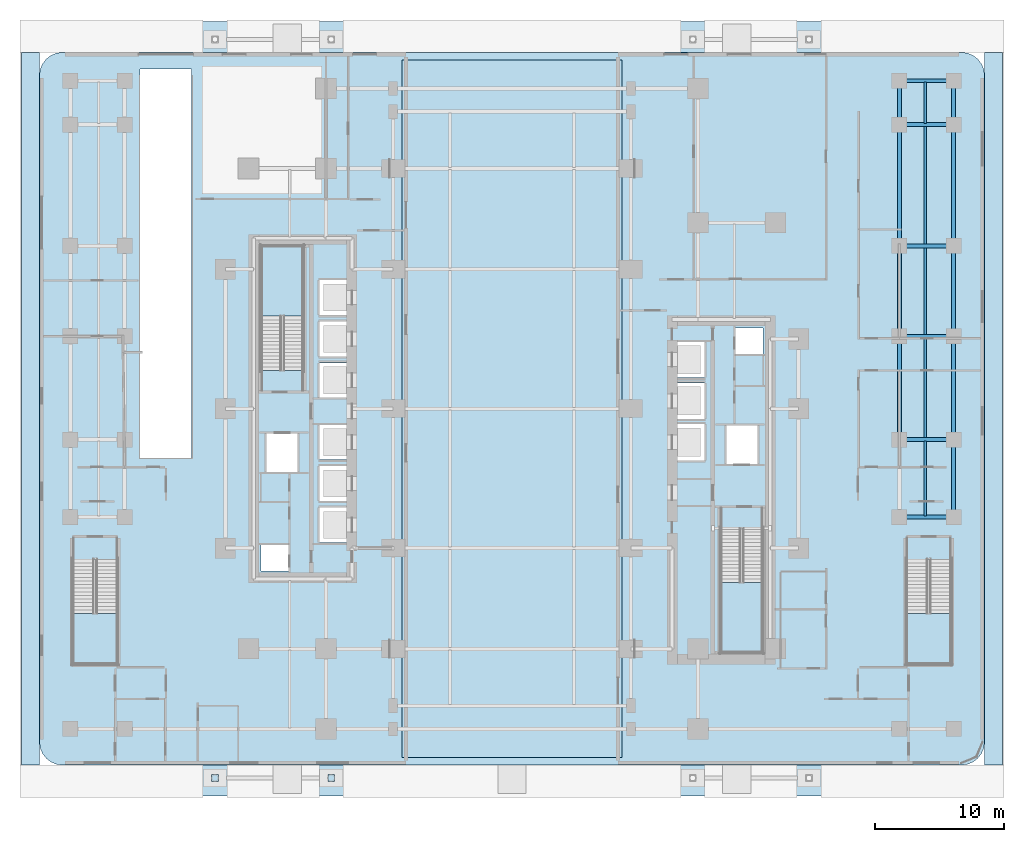
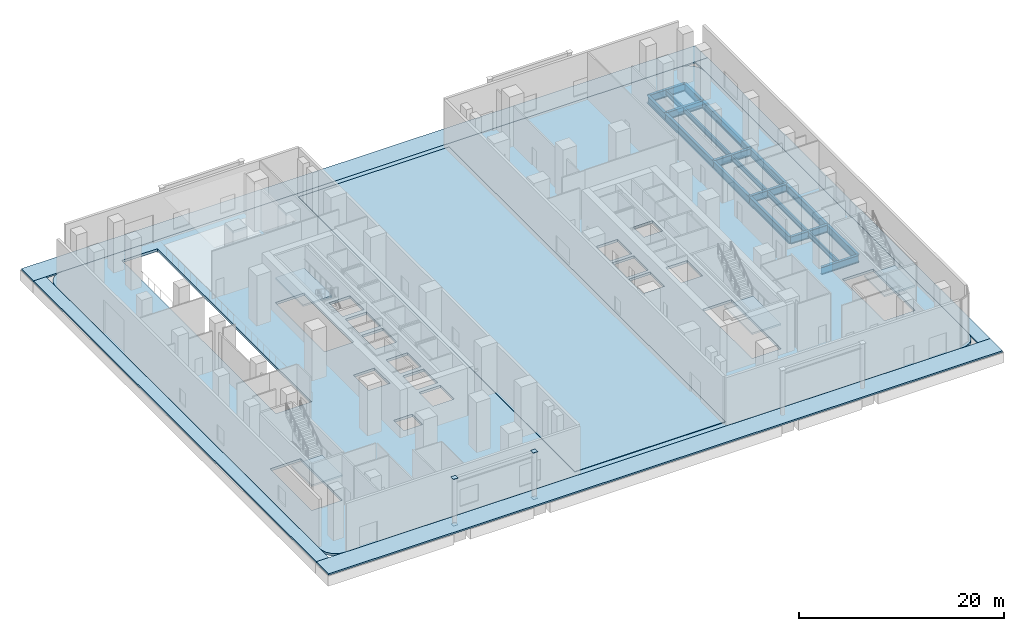
# One storey, part 6 of 22: 20 beams, 10 slabs, 4 plates, 4 elements without a shape of their own.
"""IFC4 building model written with IfcOpenShell, lengths in metres."""

from ifc_helpers import new_model, si_unit, direction, frame, origin, origin_2d, place, context, subcontext, project, spatial, polyline, rectangle, i_section, outline, extrude, material, layer, layer_set, material_profile, profile_set, type_object, element, aggregate, save


model = new_model("IFC4")

# Units and contexts
model_context = context("Model", 3, precision=1e-05, world=origin(), true_north=direction((0.0, 1.0)))
body_context = subcontext(model_context, "Body", "Model", "MODEL_VIEW")
ifc_project = project(units=[si_unit("LENGTHUNIT", "METRE"), si_unit("AREAUNIT", "SQUARE_METRE"), si_unit("VOLUMEUNIT", "CUBIC_METRE"), si_unit("PLANEANGLEUNIT", "RADIAN"), si_unit("MASSUNIT", "GRAM", prefix="KILO")], contexts=[model_context])

# Site, building, storey
site_placement = place(None, origin())
site = spatial("IfcSite", under=ifc_project, at=site_placement, CompositionType="ELEMENT")
building_placement = place(site_placement, origin())
building = spatial("IfcBuilding", under=site, at=building_placement, Name="Khairoan Windgate Tower", CompositionType="ELEMENT")
storey_placement = place(building_placement, origin())
storey = spatial("IfcBuildingStorey", under=building, at=storey_placement, Name="L01", CompositionType="ELEMENT", Elevation=0.0)

# Beams
ifc_material_1 = material(Name="Steel S355", Category="steel")
ifc_material_profile_1 = material_profile(ifc_material_1, i_section(OverallWidth=0.300048828125, OverallDepth=0.89990234375, WebThickness=0.01611328125, FlangeThickness=0.028076171875, FilletRadius=0.028076171875, at=origin_2d()))
ifc_profile_set_1 = profile_set([ifc_material_profile_1], Name="Steel S355")
beam_type_1 = type_object("IfcBeamType", Name="Beam B-G1 H900x300x16x28", PredefinedType="BEAM", material=ifc_profile_set_1)
for number, where, z_axis, x_axis, name in (
    (1, (30.0, -8.39990234375, -0.75), (1.0, 0.0, 0.0), (0.0, 1.0, 0.0), "L01 E-W Primary Girder 21"),
    (2, (30.0, -2.39990234375, -0.75), (1.0, 0.0, 0.0), (0.0, 1.0, 0.0), "L01 E-W Primary Girder 23"),
    (3, (30.0, 5.60009765625, -0.75), (1.0, 0.0, 0.0), (0.0, 1.0, 0.0), "L01 E-W Primary Girder 30"),
    (4, (30.0, 12.60009765625, -0.75), (1.0, 0.0, 0.0), (0.0, 1.0, 0.0), "L01 E-W Primary Girder 37"),
    (5, (30.0, 22.0, -0.75), (1.0, 0.0, 0.0), (0.0, 1.0, 0.0), "L01 E-W Primary Girder 45"),
    (6, (30.0, 25.39990234375, -0.75), (1.0, 0.0, 0.0), (0.0, 1.0, 0.0), "L01 E-W Primary Girder 51"),
):
    element("IfcBeam", number, at=place(storey_placement, frame(where, z_axis=z_axis, x_axis=x_axis)), inside=storey, type_object=beam_type_1, Name=name, PredefinedType="BEAM", context=body_context, shape_type="SweptSolid", body=[
        extrude(i_section(OverallWidth=0.300048828125, OverallDepth=0.89990234375, WebThickness=0.01611328125, FlangeThickness=0.028076171875, FilletRadius=0.028076171875, at=origin_2d()), origin(), (0.0, 0.0, 1.0), 4.199951171875),
    ])
beam_1_placement = place(storey_placement, frame((30.0, -2.39990234375, -0.75), z_axis=(0.0, 1.0, 0.0), x_axis=(-1.0, 0.0, 0.0)))
element("IfcBeam", 7, at=beam_1_placement, inside=storey, type_object=beam_type_1, Name="L01 N-S Primary Beam 96", PredefinedType="BEAM", context=body_context, shape_type="SweptSolid", body=[
    extrude(i_section(OverallWidth=0.300048828125, OverallDepth=0.89990234375, WebThickness=0.01611328125, FlangeThickness=0.028076171875, FilletRadius=0.028076171875, at=origin_2d()), origin(), (0.0, 0.0, 1.0), 8.0),
])
beam_2_placement = place(storey_placement, frame((30.0, 5.60009765625, -0.75), z_axis=(0.0, 1.0, 0.0), x_axis=(-1.0, 0.0, 0.0)))
element("IfcBeam", 8, at=beam_2_placement, inside=storey, type_object=beam_type_1, Name="L01 N-S Primary Beam 97", PredefinedType="BEAM", context=body_context, shape_type="SweptSolid", body=[
    extrude(i_section(OverallWidth=0.300048828125, OverallDepth=0.89990234375, WebThickness=0.01611328125, FlangeThickness=0.028076171875, FilletRadius=0.028076171875, at=origin_2d()), origin(), (0.0, 0.0, 1.0), 7.0),
])
beam_3_placement = place(storey_placement, frame((30.0, 12.60009765625, -0.75), z_axis=(0.0, 1.0, 0.0), x_axis=(-1.0, 0.0, 0.0)))
element("IfcBeam", 9, at=beam_3_placement, inside=storey, type_object=beam_type_1, Name="L01 N-S Primary Beam 98", PredefinedType="BEAM", context=body_context, shape_type="SweptSolid", body=[
    extrude(i_section(OverallWidth=0.300048828125, OverallDepth=0.89990234375, WebThickness=0.01611328125, FlangeThickness=0.028076171875, FilletRadius=0.028076171875, at=origin_2d()), origin(), (0.0, 0.0, 1.0), 9.39990234375),
])
beam_4_placement = place(storey_placement, frame((30.0, 22.0, -0.75), z_axis=(0.0, 1.0, 0.0), x_axis=(-1.0, 0.0, 0.0)))
element("IfcBeam", 10, at=beam_4_placement, inside=storey, type_object=beam_type_1, Name="L01 N-S Primary Beam 99", PredefinedType="BEAM", context=body_context, shape_type="SweptSolid", body=[
    extrude(i_section(OverallWidth=0.300048828125, OverallDepth=0.89990234375, WebThickness=0.01611328125, FlangeThickness=0.028076171875, FilletRadius=0.028076171875, at=origin_2d()), origin(), (0.0, 0.0, 1.0), 3.39990234375),
])
beam_5_placement = place(storey_placement, frame((34.199951171875, -8.39990234375, -0.75), z_axis=(0.0, 1.0, 0.0), x_axis=(-1.0, 0.0, 0.0)))
element("IfcBeam", 11, at=beam_5_placement, inside=storey, type_object=beam_type_1, Name="L01 N-S Primary Beam 100", PredefinedType="BEAM", context=body_context, shape_type="SweptSolid", body=[
    extrude(i_section(OverallWidth=0.300048828125, OverallDepth=0.89990234375, WebThickness=0.01611328125, FlangeThickness=0.028076171875, FilletRadius=0.028076171875, at=origin_2d()), origin(), (0.0, 0.0, 1.0), 6.0),
])
beam_6_placement = place(storey_placement, frame((34.199951171875, -2.39990234375, -0.75), z_axis=(0.0, 1.0, 0.0), x_axis=(-1.0, 0.0, 0.0)))
element("IfcBeam", 12, at=beam_6_placement, inside=storey, type_object=beam_type_1, Name="L01 N-S Primary Beam 101", PredefinedType="BEAM", context=body_context, shape_type="SweptSolid", body=[
    extrude(i_section(OverallWidth=0.300048828125, OverallDepth=0.89990234375, WebThickness=0.01611328125, FlangeThickness=0.028076171875, FilletRadius=0.028076171875, at=origin_2d()), origin(), (0.0, 0.0, 1.0), 8.0),
])
beam_7_placement = place(storey_placement, frame((34.199951171875, 5.60009765625, -0.75), z_axis=(0.0, 1.0, 0.0), x_axis=(-1.0, 0.0, 0.0)))
element("IfcBeam", 13, at=beam_7_placement, inside=storey, type_object=beam_type_1, Name="L01 N-S Primary Beam 102", PredefinedType="BEAM", context=body_context, shape_type="SweptSolid", body=[
    extrude(i_section(OverallWidth=0.300048828125, OverallDepth=0.89990234375, WebThickness=0.01611328125, FlangeThickness=0.028076171875, FilletRadius=0.028076171875, at=origin_2d()), origin(), (0.0, 0.0, 1.0), 7.0),
])
beam_8_placement = place(storey_placement, frame((34.199951171875, 12.60009765625, -0.75), z_axis=(0.0, 1.0, 0.0), x_axis=(-1.0, 0.0, 0.0)))
element("IfcBeam", 14, at=beam_8_placement, inside=storey, type_object=beam_type_1, Name="L01 N-S Primary Beam 103", PredefinedType="BEAM", context=body_context, shape_type="SweptSolid", body=[
    extrude(i_section(OverallWidth=0.300048828125, OverallDepth=0.89990234375, WebThickness=0.01611328125, FlangeThickness=0.028076171875, FilletRadius=0.028076171875, at=origin_2d()), origin(), (0.0, 0.0, 1.0), 9.39990234375),
])
beam_9_placement = place(storey_placement, frame((34.199951171875, 22.0, -0.75), z_axis=(0.0, 1.0, 0.0), x_axis=(-1.0, 0.0, 0.0)))
element("IfcBeam", 15, at=beam_9_placement, inside=storey, type_object=beam_type_1, Name="L01 N-S Primary Beam 104", PredefinedType="BEAM", context=body_context, shape_type="SweptSolid", body=[
    extrude(i_section(OverallWidth=0.300048828125, OverallDepth=0.89990234375, WebThickness=0.01611328125, FlangeThickness=0.028076171875, FilletRadius=0.028076171875, at=origin_2d()), origin(), (0.0, 0.0, 1.0), 3.39990234375),
])
ifc_material_2 = material(Name="Steel S355", Category="steel")
ifc_material_profile_2 = material_profile(ifc_material_2, i_section(OverallWidth=0.199951171875, OverallDepth=0.60009765625, WebThickness=0.010986328125, FlangeThickness=0.01708984375, FilletRadius=0.02197265625, at=origin_2d()))
ifc_profile_set_2 = profile_set([ifc_material_profile_2], Name="Steel S355")
beam_type_2 = type_object("IfcBeamType", Name="Beam J-S1 H600x200x11x17", PredefinedType="JOIST", material=ifc_profile_set_2)
beam_10_placement = place(storey_placement, frame((32.0, -8.31005859375, -0.60009765625), z_axis=(0.0, 1.0, 0.0), x_axis=(-1.0, 0.0, 0.0)))
element("IfcBeam", 16, at=beam_10_placement, inside=storey, type_object=beam_type_2, Name="L01 Secondary Floor Joist 22", PredefinedType="JOIST", context=body_context, shape_type="SweptSolid", body=[
    extrude(i_section(OverallWidth=0.199951171875, OverallDepth=0.60009765625, WebThickness=0.010986328125, FlangeThickness=0.01708984375, FilletRadius=0.02197265625, at=origin_2d()), origin(), (0.0, 0.0, 1.0), 5.820068359375),
])
beam_11_placement = place(storey_placement, frame((32.0, -2.31005859375, -0.60009765625), z_axis=(0.0, 1.0, 0.0), x_axis=(-1.0, 0.0, 0.0)))
element("IfcBeam", 17, at=beam_11_placement, inside=storey, type_object=beam_type_2, Name="L01 Secondary Floor Joist 23", PredefinedType="JOIST", context=body_context, shape_type="SweptSolid", body=[
    extrude(i_section(OverallWidth=0.199951171875, OverallDepth=0.60009765625, WebThickness=0.010986328125, FlangeThickness=0.01708984375, FilletRadius=0.02197265625, at=origin_2d()), origin(), (0.0, 0.0, 1.0), 7.820068359375),
])
beam_12_placement = place(storey_placement, frame((32.0, 5.68994140625, -0.60009765625), z_axis=(0.0, 1.0, 0.0), x_axis=(-1.0, 0.0, 0.0)))
element("IfcBeam", 18, at=beam_12_placement, inside=storey, type_object=beam_type_2, Name="L01 Secondary Floor Joist 24", PredefinedType="JOIST", context=body_context, shape_type="SweptSolid", body=[
    extrude(i_section(OverallWidth=0.199951171875, OverallDepth=0.60009765625, WebThickness=0.010986328125, FlangeThickness=0.01708984375, FilletRadius=0.02197265625, at=origin_2d()), origin(), (0.0, 0.0, 1.0), 6.820068359375),
])
beam_13_placement = place(storey_placement, frame((32.0, 12.68994140625, -0.60009765625), z_axis=(0.0, 1.0, 0.0), x_axis=(-1.0, 0.0, 0.0)))
element("IfcBeam", 19, at=beam_13_placement, inside=storey, type_object=beam_type_2, Name="L01 Secondary Floor Joist 25", PredefinedType="JOIST", context=body_context, shape_type="SweptSolid", body=[
    extrude(i_section(OverallWidth=0.199951171875, OverallDepth=0.60009765625, WebThickness=0.010986328125, FlangeThickness=0.01708984375, FilletRadius=0.02197265625, at=origin_2d()), origin(), (0.0, 0.0, 1.0), 9.219970703125),
])
beam_14_placement = place(storey_placement, frame((32.0, 22.090087890625, -0.60009765625), z_axis=(0.0, 1.0, 0.0), x_axis=(-1.0, 0.0, 0.0)))
element("IfcBeam", 20, at=beam_14_placement, inside=storey, type_object=beam_type_2, Name="L01 Secondary Floor Joist 26", PredefinedType="JOIST", context=body_context, shape_type="SweptSolid", body=[
    extrude(i_section(OverallWidth=0.199951171875, OverallDepth=0.60009765625, WebThickness=0.010986328125, FlangeThickness=0.01708984375, FilletRadius=0.02197265625, at=origin_2d()), origin(), (0.0, 0.0, 1.0), 3.219970703125),
])

# Slabs
ifc_material_3 = material(Name="Granite Stone Paving", Category="masonry")
ifc_layer_1 = layer(ifc_material_3, 0.179931640625, Name="Granite Stone Paving")
ifc_layer_set_1 = layer_set([ifc_layer_1], Name="Granite Stone Paving")
slab_type_1 = type_object("IfcSlabType", Name="Civic Concourse Granite Paving Slab PV1 180mm", PredefinedType="USERDEFINED", material=ifc_layer_set_1)
slab_1_placement = place(storey_placement, origin())
element("IfcSlab", 21, at=slab_1_placement, inside=storey, type_object=slab_type_1, Name="Civic Arch Through-Block Concourse Paving", ObjectType="PAVING", PredefinedType="USERDEFINED", context=body_context, shape_type="SweptSolid", body=[
    extrude(outline(polyline([(-8.5, -27.0), (8.5, -27.0), (8.5, 27.0), (-8.5, 27.0), (-8.5, -27.0)])), origin(), (0.0, 0.0, 1.0), 0.050048828125),
])
slab_2_placement = place(storey_placement, frame((0.0, 0.0, -0.179931640625)))
element("IfcSlab", 22, at=slab_2_placement, inside=storey, type_object=slab_type_1, Name="South Boulevard Forecourt Plaza Paving", ObjectType="PAVING", PredefinedType="USERDEFINED", context=body_context, shape_type="SweptSolid", body=[
    extrude(outline(polyline([(-38.0, -30.0), (38.0, -30.0), (38.0, -27.60009765625), (-38.0, -27.60009765625), (-38.0, -30.0)])), origin(), (0.0, 0.0, 1.0), 0.179931640625),
])
slab_3_placement = place(storey_placement, frame((0.0, 0.0, -0.179931640625)))
element("IfcSlab", 23, at=slab_3_placement, inside=storey, type_object=slab_type_1, Name="North Riverfront Forecourt Plaza Paving", ObjectType="PAVING", PredefinedType="USERDEFINED", context=body_context, shape_type="SweptSolid", body=[
    extrude(outline(polyline([(-38.0, 27.60009765625), (38.0, 27.60009765625), (38.0, 30.0), (-38.0, 30.0), (-38.0, 27.60009765625)])), origin(), (0.0, 0.0, 1.0), 0.179931640625),
])
slab_4_placement = place(storey_placement, frame((0.0, 0.0, -0.179931640625)))
element("IfcSlab", 24, at=slab_4_placement, inside=storey, type_object=slab_type_1, Name="West Promenade Paving", ObjectType="PAVING", PredefinedType="USERDEFINED", context=body_context, shape_type="SweptSolid", body=[
    extrude(outline(polyline([(-38.0, -27.60009765625), (-36.60009765625, -27.60009765625), (-36.60009765625, 27.60009765625), (-38.0, 27.60009765625), (-38.0, -27.60009765625)])), origin(), (0.0, 0.0, 1.0), 0.179931640625),
])
slab_5_placement = place(storey_placement, frame((0.0, 0.0, -0.179931640625)))
element("IfcSlab", 25, at=slab_5_placement, inside=storey, type_object=slab_type_1, Name="East Promenade Paving", ObjectType="PAVING", PredefinedType="USERDEFINED", context=body_context, shape_type="SweptSolid", body=[
    extrude(outline(polyline([(36.60009765625, -27.60009765625), (38.0, -27.60009765625), (38.0, 27.60009765625), (36.60009765625, 27.60009765625), (36.60009765625, -27.60009765625)])), origin(), (0.0, 0.0, 1.0), 0.179931640625),
])

# Plates
ifc_material_4 = material(Name="Steel S355", Category="steel")
ifc_layer_2 = layer(ifc_material_4, 0.0400390625, Name="Steel S355")
ifc_layer_set_2 = layer_set([ifc_layer_2], Name="Steel S355")
plate_type = type_object("IfcPlateType", Name="Hollow Section End-Cap Plate PL-CAP40", PredefinedType="SHEET", material=ifc_layer_set_2)
for number, where, z_axis, x_axis, name in (
    (26, (-23.0, -28.60009765625, -0.205078125), (0.0, 0.0, 1.0), (1.0, 0.0, 0.0), "COL-CAN-S--23 steel end-cap plate 1"),
    (27, (-23.0, -28.60009765625, 5.364990234375), (0.0, 0.0, 1.0), (1.0, 0.0, 0.0), "COL-CAN-S--23 steel end-cap plate 2"),
    (28, (-14.0, -28.60009765625, -0.205078125), (0.0, 0.0, 1.0), (1.0, 0.0, 0.0), "COL-CAN-S--14 steel end-cap plate 1"),
    (29, (-14.0, -28.60009765625, 5.364990234375), (0.0, 0.0, 1.0), (1.0, 0.0, 0.0), "COL-CAN-S--14 steel end-cap plate 2"),
):
    element("IfcPlate", number, at=place(storey_placement, frame(where, z_axis=z_axis, x_axis=x_axis)), inside=storey, type_object=plate_type, Name=name, PredefinedType="SHEET", context=body_context, shape_type="SweptSolid", body=[
        extrude(rectangle(XDim=0.528076171875, YDim=0.528076171875, at=origin_2d()), origin(), (0.0, 0.0, 1.0), 0.0400390625),
    ])

# Stair, slab
ifc_material_5 = material(Name="Concrete C40/50", Category="concrete")
stair_type_1 = type_object("IfcStairType", Name="Tower Core Dog-Leg Stair ST-T1 1560mm", PredefinedType="HALF_TURN_STAIR", material=ifc_material_5)
stair_1_placement = place(storey_placement, origin())
stair_1 = element("IfcStair", 30, at=stair_1_placement, inside=storey, type_object=stair_type_1, Name="L01 Stair ST1", PredefinedType="HALF_TURN_STAIR")
ifc_material_6 = material(Name="Concrete C40/50", Category="concrete")
ifc_layer_3 = layer(ifc_material_6, 0.199951171875, Name="Concrete C40/50")
ifc_layer_set_3 = layer_set([ifc_layer_3], Name="Concrete C40/50")
slab_type_2 = type_object("IfcSlabType", Name="Reinforced Concrete Stair Landing Slab STL-200", PredefinedType="LANDING", material=ifc_layer_set_3)
slab_6_placement = place(storey_placement, frame((0.0, 0.0, 2.800048828125)))
slab_6 = element("IfcSlab", 31, at=slab_6_placement, type_object=slab_type_2, Name="ST1 landing 1", PredefinedType="LANDING", context=body_context, shape_type="SweptSolid", body=[
    extrude(outline(polyline([(16.14990234375, -13.4599609375), (16.14990234375, -18.89990234375), (19.419921875, -18.89990234375), (19.419921875, -13.4599609375), (16.14990234375, -13.4599609375)])), origin(), (0.0, 0.0, 1.0), 0.199951171875),
])
aggregate(stair_1, [slab_6])

stair_2_placement = place(storey_placement, origin())
stair_2 = element("IfcStair", 32, at=stair_2_placement, inside=storey, type_object=stair_type_1, Name="L01 Stair ST2", PredefinedType="HALF_TURN_STAIR")
slab_7_placement = place(storey_placement, frame((0.0, 0.0, 2.800048828125)))
slab_7 = element("IfcSlab", 33, at=slab_7_placement, type_object=slab_type_2, Name="ST2 landing 1", PredefinedType="LANDING", context=body_context, shape_type="SweptSolid", body=[
    extrude(outline(polyline([(-16.14990234375, 7.159912109375), (-16.14990234375, 12.60009765625), (-19.419921875, 12.60009765625), (-19.419921875, 7.159912109375), (-16.14990234375, 7.159912109375)])), origin(), (0.0, 0.0, 1.0), 0.199951171875),
])
aggregate(stair_2, [slab_7])

ifc_material_7 = material(Name="Concrete C40/50", Category="concrete")
stair_type_2 = type_object("IfcStairType", Name="Podium Exit Dog-Leg Stair ST-T2 1660mm", PredefinedType="HALF_TURN_STAIR", material=ifc_material_7)
stair_3_placement = place(storey_placement, origin())
stair_3 = element("IfcStair", 34, at=stair_3_placement, inside=storey, type_object=stair_type_2, Name="L01 Stair ST3", PredefinedType="HALF_TURN_STAIR")
slab_8_placement = place(storey_placement, frame((0.0, 0.0, 2.800048828125)))
slab_8 = element("IfcSlab", 35, at=slab_8_placement, type_object=slab_type_2, Name="ST3 landing 1", PredefinedType="LANDING", context=body_context, shape_type="SweptSolid", body=[
    extrude(outline(polyline([(30.550048828125, -15.860107421875), (30.550048828125, -19.800048828125), (34.02001953125, -19.800048828125), (34.02001953125, -15.860107421875), (30.550048828125, -15.860107421875)])), origin(), (0.0, 0.0, 1.0), 0.199951171875),
])
aggregate(stair_3, [slab_8])

stair_4_placement = place(storey_placement, origin())
stair_4 = element("IfcStair", 36, at=stair_4_placement, inside=storey, type_object=stair_type_2, Name="L01 Stair ST4", PredefinedType="HALF_TURN_STAIR")
slab_9_placement = place(storey_placement, frame((0.0, 0.0, 2.800048828125)))
slab_9 = element("IfcSlab", 37, at=slab_9_placement, type_object=slab_type_2, Name="ST4 landing 1", PredefinedType="LANDING", context=body_context, shape_type="SweptSolid", body=[
    extrude(outline(polyline([(-34.02001953125, -15.860107421875), (-34.02001953125, -19.800048828125), (-30.550048828125, -19.800048828125), (-30.550048828125, -15.860107421875), (-34.02001953125, -15.860107421875)])), origin(), (0.0, 0.0, 1.0), 0.199951171875),
])
aggregate(stair_4, [slab_9])

# Slab
ifc_material_8 = material(Name="Concrete C40/50", Category="concrete")
ifc_layer_4 = layer(ifc_material_8, 0.260009765625, Name="Concrete C40/50")
ifc_layer_set_4 = layer_set([ifc_layer_4], Name="Concrete C40/50")
slab_type_3 = type_object("IfcSlabType", Name="Tower Composite Floor Slab FS2 260mm", PredefinedType="FLOOR", material=ifc_layer_set_4)
slab_10_placement = place(storey_placement, frame((0.0, 0.0, -0.300048828125)))
element("IfcSlab", 38, at=slab_10_placement, inside=storey, type_object=slab_type_3, Name="L01 Structural Floor Slab", PredefinedType="FLOOR", context=body_context, shape_type="SweptSolid", body=[
    extrude(outline(polyline([(34.800048828125, -27.60009765625), (35.265869140625, -27.538818359375), (35.699951171875, -27.35888671875), (36.07275390625, -27.07275390625), (36.35888671875, -26.699951171875), (36.538818359375, -26.265869140625), (36.60009765625, -25.800048828125), (36.60009765625, 25.800048828125), (36.538818359375, 26.265869140625), (36.35888671875, 26.699951171875), (36.07275390625, 27.07275390625), (35.699951171875, 27.35888671875), (35.265869140625, 27.538818359375), (34.800048828125, 27.60009765625), (-34.800048828125, 27.60009765625), (-35.265869140625, 27.538818359375), (-35.699951171875, 27.35888671875), (-36.07275390625, 27.07275390625), (-36.35888671875, 26.699951171875), (-36.538818359375, 26.265869140625), (-36.60009765625, 25.800048828125), (-36.60009765625, -25.800048828125), (-36.538818359375, -26.265869140625), (-36.35888671875, -26.699951171875), (-36.07275390625, -27.07275390625), (-35.699951171875, -27.35888671875), (-35.265869140625, -27.538818359375), (-34.800048828125, -27.60009765625), (34.800048828125, -27.60009765625)]), holes=[polyline([(16.14990234375, -9.260009765625), (16.14990234375, -18.89990234375), (19.419921875, -18.89990234375), (19.419921875, -9.260009765625), (16.14990234375, -9.260009765625)]), polyline([(-16.14990234375, 2.9599609375), (-16.14990234375, 12.60009765625), (-19.419921875, 12.60009765625), (-19.419921875, 2.9599609375), (-16.14990234375, 2.9599609375)]), polyline([(30.550048828125, -11.659912109375), (30.550048828125, -19.800048828125), (34.02001953125, -19.800048828125), (34.02001953125, -11.659912109375), (30.550048828125, -11.659912109375)]), polyline([(-34.02001953125, -11.659912109375), (-34.02001953125, -19.800048828125), (-30.550048828125, -19.800048828125), (-30.550048828125, -11.659912109375), (-34.02001953125, -11.659912109375)]), polyline([(-14.89990234375, 7.25), (-12.5, 7.25), (-12.5, 9.949951171875), (-14.89990234375, 9.949951171875), (-14.89990234375, 7.25)]), polyline([(-14.89990234375, 4.050048828125), (-12.5, 4.050048828125), (-12.5, 6.75), (-14.89990234375, 6.75), (-14.89990234375, 4.050048828125)]), polyline([(-14.89990234375, 0.85009765625), (-12.5, 0.85009765625), (-12.5, 3.550048828125), (-14.89990234375, 3.550048828125), (-14.89990234375, 0.85009765625)]), polyline([(-14.89990234375, -3.949951171875), (-12.5, -3.949951171875), (-12.5, -1.25), (-14.89990234375, -1.25), (-14.89990234375, -3.949951171875)]), polyline([(-14.89990234375, -7.14990234375), (-12.5, -7.14990234375), (-12.5, -4.449951171875), (-14.89990234375, -4.449951171875), (-14.89990234375, -7.14990234375)]), polyline([(-14.89990234375, -10.35009765625), (-12.5, -10.35009765625), (-12.5, -7.64990234375), (-14.89990234375, -7.64990234375), (-14.89990234375, -10.35009765625)]), polyline([(12.5, 2.39990234375), (14.89990234375, 2.39990234375), (14.89990234375, 5.199951171875), (12.5, 5.199951171875), (12.5, 2.39990234375)]), polyline([(12.5, -0.800048828125), (14.89990234375, -0.800048828125), (14.89990234375, 2.0), (12.5, 2.0), (12.5, -0.800048828125)]), polyline([(12.5, -4.0), (14.89990234375, -4.0), (14.89990234375, -1.199951171875), (12.5, -1.199951171875), (12.5, -4.0)]), polyline([(16.60009765625, -4.300048828125), (19.0, -4.300048828125), (19.0, -1.300048828125), (16.60009765625, -1.300048828125), (16.60009765625, -4.300048828125)]), polyline([(-19.0, -4.89990234375), (-16.60009765625, -4.89990234375), (-16.60009765625, -1.89990234375), (-19.0, -1.89990234375), (-19.0, -4.89990234375)]), polyline([(-19.449951171875, -12.550048828125), (-17.31005859375, -12.550048828125), (-17.31005859375, -10.550048828125), (-19.449951171875, -10.550048828125), (-19.449951171875, -12.550048828125)]), polyline([(17.31005859375, 4.25), (19.449951171875, 4.25), (19.449951171875, 6.25), (17.31005859375, 6.25), (17.31005859375, 4.25)]), polyline([(-28.800048828125, -3.800048828125), (-24.800048828125, -3.800048828125), (-24.800048828125, 26.300048828125), (-28.800048828125, 26.300048828125), (-28.800048828125, -3.800048828125)])]), origin(), (0.0, 0.0, 1.0), 0.300048828125),
])

save(model, "model.ifc")
